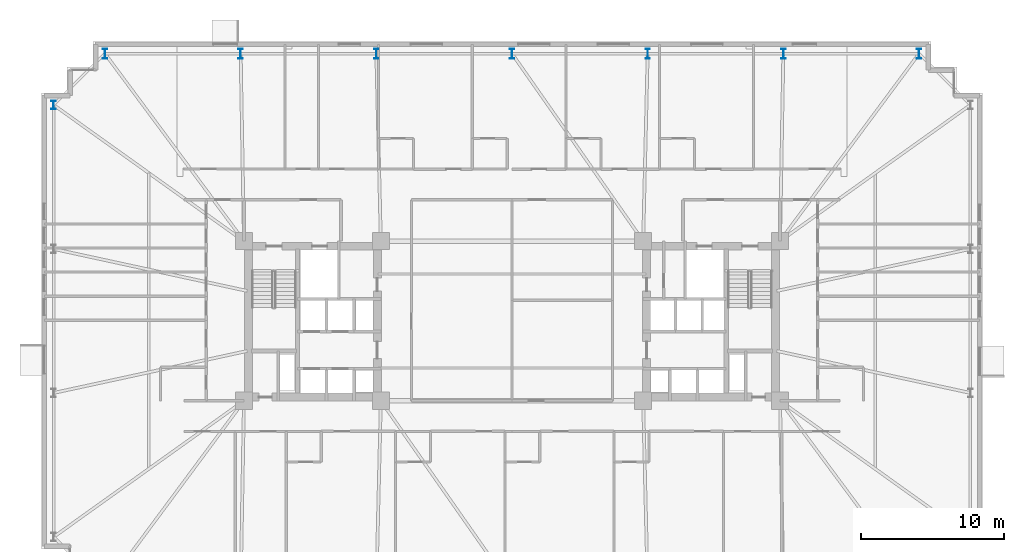
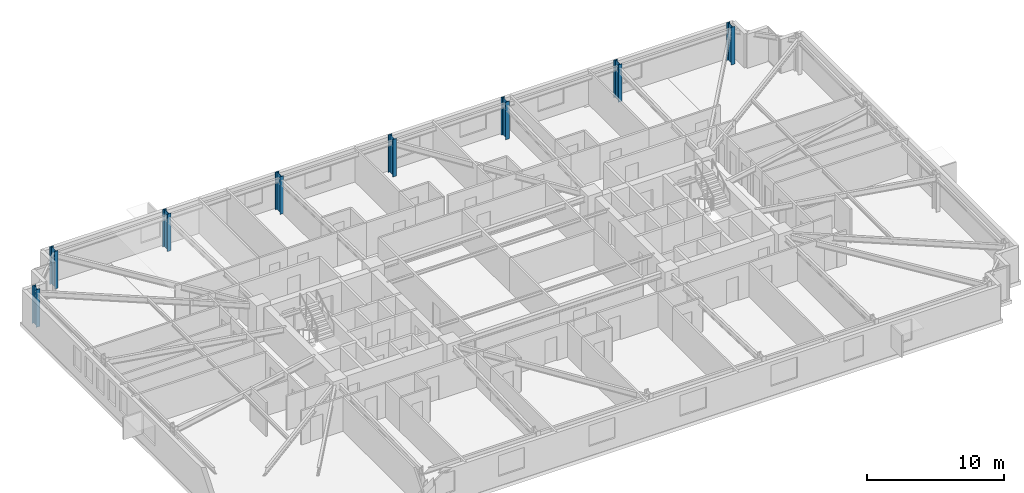
# One storey, part 2 of 22: 8 columns.
"""IFC4 building model written with IfcOpenShell, lengths in metres."""

from ifc_helpers import new_model, si_unit, direction, frame, origin, origin_2d, place, context, subcontext, project, spatial, i_section, extrude, material, material_profile, profile_set, type_object, element, save


model = new_model("IFC4")

# Units and contexts
model_context = context("Model", 3, precision=1e-05, world=origin(), true_north=direction((0.0, 1.0)))
body_context = subcontext(model_context, "Body", "Model", "MODEL_VIEW")
ifc_project = project(units=[si_unit("LENGTHUNIT", "METRE"), si_unit("AREAUNIT", "SQUARE_METRE"), si_unit("VOLUMEUNIT", "CUBIC_METRE"), si_unit("PLANEANGLEUNIT", "RADIAN"), si_unit("MASSUNIT", "GRAM", prefix="KILO")], contexts=[model_context])

# Site, building, storey
site_placement = place(None, origin())
site = spatial("IfcSite", under=ifc_project, at=site_placement, CompositionType="ELEMENT")
building_placement = place(site_placement, origin())
building = spatial("IfcBuilding", under=site, at=building_placement, Name="Qobustan Lattice House", CompositionType="ELEMENT")
storey_placement = place(building_placement, frame((0.0, 0.0, 33.699951171875)))
storey = spatial("IfcBuildingStorey", under=building, at=storey_placement, Name="L08", CompositionType="ELEMENT", Elevation=33.699951171875)

# Columns
ifc_material_1 = material(Name="Steel S460", Category="steel")
ifc_material_profile_1 = material_profile(ifc_material_1, i_section(OverallWidth=0.304931640625, OverallDepth=0.6201171875, WebThickness=0.02099609375, FlangeThickness=0.0400390625, FilletRadius=0.027099609375, at=origin_2d()), Name="HEM600")
ifc_profile_set_1 = profile_set([ifc_material_profile_1], Name="Steel S460")
column_type_1 = type_object("IfcColumnType", Name="COL-ST-HEM600", PredefinedType="COLUMN", material=ifc_profile_set_1)
column_placement = place(storey_placement, frame((-32.14990234375, 15.14990234375, 0.0), z_axis=(0.0, 0.0, 1.0), x_axis=(1.0, 0.0, 0.0)))
element("IfcColumn", 1, at=column_placement, inside=storey, type_object=column_type_1, Name="L08 B1 perimeter column W1", PredefinedType="COLUMN", context=body_context, shape_type="SweptSolid", body=[
    extrude(i_section(OverallWidth=0.304931640625, OverallDepth=0.6201171875, WebThickness=0.02099609375, FlangeThickness=0.0400390625, FilletRadius=0.027099609375, at=origin_2d()), origin(), (0.0, 0.0, 1.0), 3.35009765625),
])
ifc_material_2 = material(Name="Steel S460", Category="steel")
ifc_material_profile_2 = material_profile(ifc_material_2, i_section(OverallWidth=0.303955078125, OverallDepth=0.716064453125, WebThickness=0.02099609375, FlangeThickness=0.0400390625, FilletRadius=0.027099609375, at=origin_2d()), Name="HEM700")
ifc_profile_set_2 = profile_set([ifc_material_profile_2], Name="Steel S460")
column_type_2 = type_object("IfcColumnType", Name="COL-ST-HEM700", PredefinedType="COLUMN", material=ifc_profile_set_2)
for number, where, z_axis, x_axis, name in (
    (2, (28.550048828125, 18.75, 0.0), (0.0, 0.0, 1.0), (1.0, 0.0, 0.0), "L08 B1 perimeter column N1"),
    (3, (19.033203125, 18.75, 0.0), (0.0, 0.0, 1.0), (1.0, 0.0, 0.0), "L08 B1 perimeter column N2"),
    (4, (9.5166015625, 18.75, 0.0), (0.0, 0.0, 1.0), (1.0, 0.0, 0.0), "L08 B1 perimeter column N3"),
    (5, (0.0, 18.75, 0.0), (0.0, 0.0, 1.0), (1.0, 0.0, 0.0), "L08 B1 perimeter column N4"),
    (6, (-9.5166015625, 18.75, 0.0), (0.0, 0.0, 1.0), (1.0, 0.0, 0.0), "L08 B1 perimeter column N5"),
    (7, (-19.033203125, 18.75, 0.0), (0.0, 0.0, 1.0), (1.0, 0.0, 0.0), "L08 B1 perimeter column N6"),
    (8, (-28.550048828125, 18.75, 0.0), (0.0, 0.0, 1.0), (1.0, 0.0, 0.0), "L08 B1 perimeter column N7"),
):
    element("IfcColumn", number, at=place(storey_placement, frame(where, z_axis=z_axis, x_axis=x_axis)), inside=storey, type_object=column_type_2, Name=name, PredefinedType="COLUMN", context=body_context, shape_type="SweptSolid", body=[
        extrude(i_section(OverallWidth=0.303955078125, OverallDepth=0.716064453125, WebThickness=0.02099609375, FlangeThickness=0.0400390625, FilletRadius=0.027099609375, at=origin_2d()), origin(), (0.0, 0.0, 1.0), 3.35009765625),
    ])

save(model, "model.ifc")
